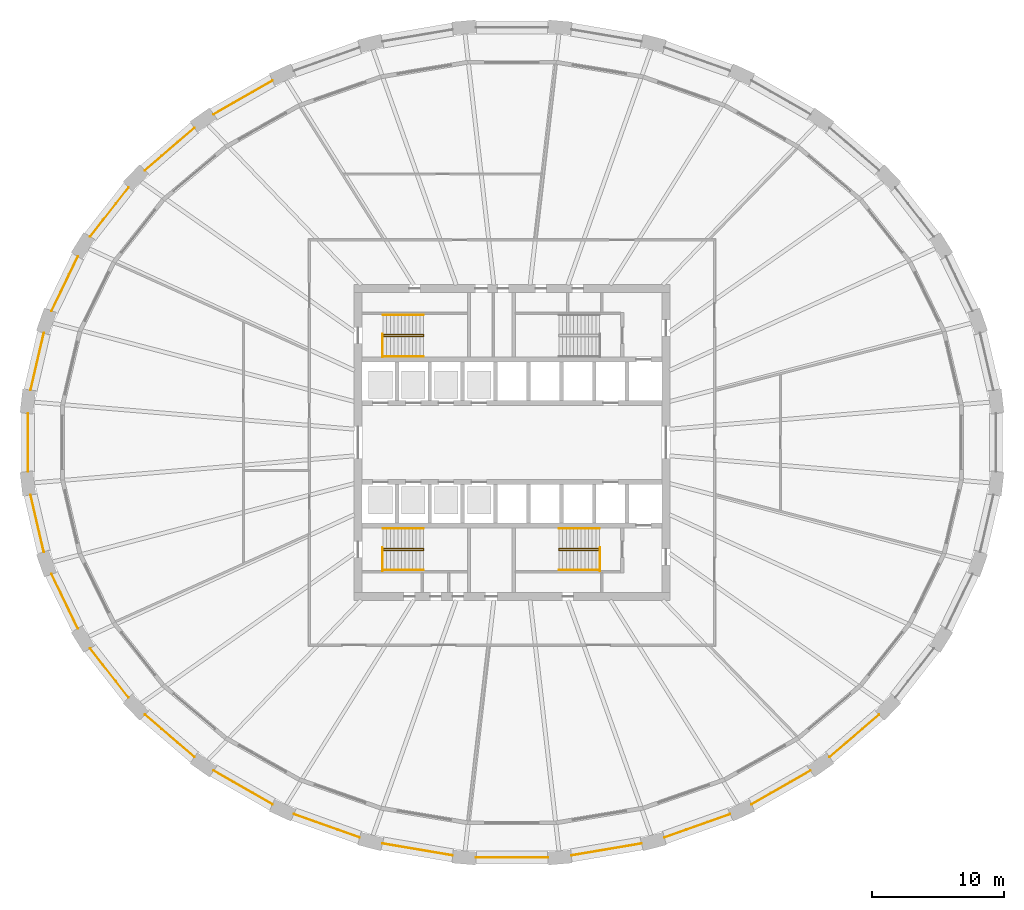
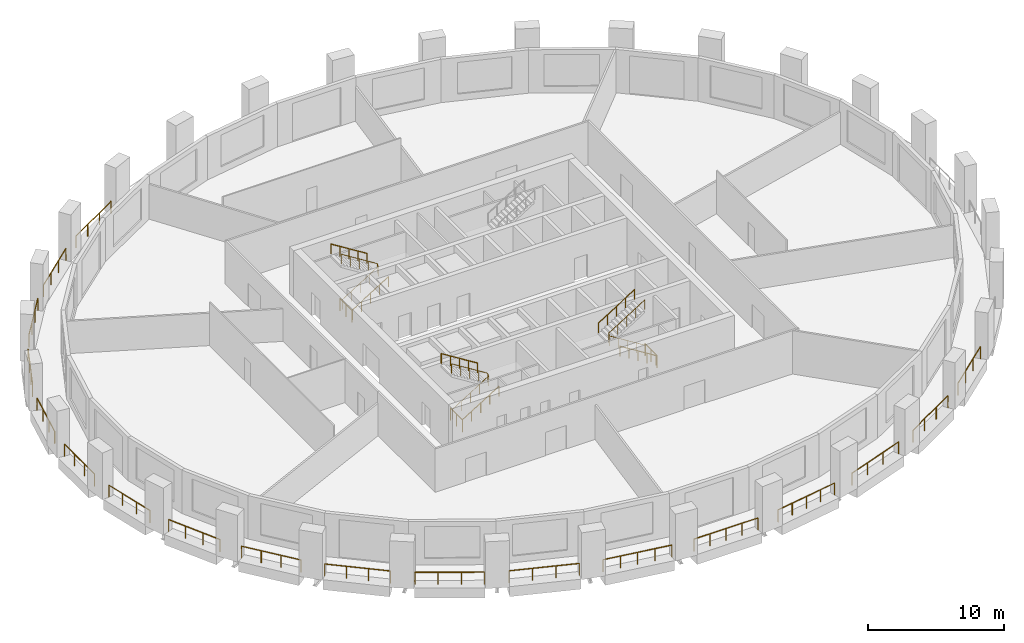
# One storey, part 8 of 10: 30 railings.
"""IFC4 building model written with IfcOpenShell, lengths in metres."""

import ifcopenshell
import ifcopenshell.guid

model = None  # the IFC model being written
_history = None  # IfcOwnerHistory: only IFC2X3 demands one
_inside = {}  # id of a spatial element -> (the spatial element, [elements in it])
_under = {}  # id of a project, library or spatial element -> (it, [spatial elements below it])
_declared = {}  # id of a project -> (the project, [libraries it declares])
_typed = {}  # id of a type object -> (the type object, [elements of that type])
_made_of = {}  # id of a material, layer set ... -> (it, [elements and type objects made of it])


def new_model(schema):
    """Start an empty IFC model of exactly this schema.

    Asked for "IFC4X3", IfcOpenShell would pick the latest addendum, in which some entities
    have other attributes; the version numbers below select the first issue.
    IFC2X3 requires an IfcOwnerHistory on every rooted entity: one is made here for all.
    """
    global model, _history
    if schema == "IFC4X3":
        model = ifcopenshell.file(schema_version=(4, 3, 0, 0))
    else:
        model = ifcopenshell.file(schema=schema)
    _inside.clear()
    _under.clear()
    _declared.clear()
    _typed.clear()
    _made_of.clear()
    _history = None
    if model.schema == "IFC2X3":
        org = make("IfcOrganization", Name="unknown")
        user = make(
            "IfcPersonAndOrganization",
            ThePerson=make("IfcPerson", FamilyName="unknown"),
            TheOrganization=org,
        )
        app = make(
            "IfcApplication",
            ApplicationDeveloper=org,
            Version="unknown",
            ApplicationFullName="unknown",
            ApplicationIdentifier="unknown",
        )
        _history = make(
            "IfcOwnerHistory",
            OwningUser=user,
            OwningApplication=app,
            ChangeAction="ADDED",
            CreationDate=0,
        )
    return model


def make(cls, **values):
    """One entity of the class cls with the attributes given. An attribute that is None is left unset."""
    return model.create_entity(
        cls, **{name: value for name, value in values.items() if value is not None}
    )


def rooted(cls, **values):
    """An entity with a GlobalId (a new one), such as an element, a storey or a relation."""
    return make(cls, GlobalId=ifcopenshell.guid.new(), OwnerHistory=_history, **values)


def si_unit(unit_type, name, prefix=None):
    """IfcSIUnit, for example si_unit("LENGTHUNIT", "METRE", prefix="MILLI")."""
    return make("IfcSIUnit", UnitType=unit_type, Prefix=prefix, Name=name)


def assignment(units):
    """IfcUnitAssignment: the units of a project."""
    return None if units is None else make("IfcUnitAssignment", Units=units)


def point(xyz):
    """IfcCartesianPoint."""
    return None if xyz is None else make("IfcCartesianPoint", Coordinates=xyz)


def direction(xyz):
    """IfcDirection."""
    return None if xyz is None else make("IfcDirection", DirectionRatios=xyz)


def frame(location, z_axis=None, x_axis=None):
    """IfcAxis2Placement3D, a coordinate frame: its origin and axes. An axis left out is left unset."""
    return make(
        "IfcAxis2Placement3D",
        Location=point(location),
        Axis=direction(z_axis),
        RefDirection=direction(x_axis),
    )


def frame_2d(location, x_axis=None):
    """IfcAxis2Placement2D, a coordinate frame in the plane: its origin and x axis."""
    return make(
        "IfcAxis2Placement2D", Location=point(location), RefDirection=direction(x_axis)
    )


def origin():
    """The frame at (0, 0, 0) with its axes left unset."""
    return frame((0.0, 0.0, 0.0))


def origin_2d():
    """The frame at (0, 0) in the plane with its x axis left unset."""
    return frame_2d((0.0, 0.0))


def place(relative_to, where):
    """IfcLocalPlacement: puts the frame where relative to a parent placement (None: the world)."""
    return make(
        "IfcLocalPlacement", PlacementRelTo=relative_to, RelativePlacement=where
    )


def context(
    kind, dimensions, precision=None, world=None, true_north=None, identifier=None
):
    """IfcGeometricRepresentationContext, for example the 3D "Model" context."""
    return make(
        "IfcGeometricRepresentationContext",
        ContextIdentifier=identifier,
        ContextType=kind,
        CoordinateSpaceDimension=dimensions,
        Precision=precision,
        WorldCoordinateSystem=world,
        TrueNorth=true_north,
    )


def subcontext(parent, identifier, kind, view, scale=None):
    """IfcGeometricRepresentationSubContext, for example "Body" below "Model"."""
    return make(
        "IfcGeometricRepresentationSubContext",
        ContextIdentifier=identifier,
        ContextType=kind,
        ParentContext=parent,
        TargetScale=scale,
        TargetView=view,
    )


def project(units=None, contexts=None):
    """IfcProject with its units and contexts."""
    return rooted(
        "IfcProject",
        Name="project",
        RepresentationContexts=contexts,
        UnitsInContext=assignment(units),
    )


def spatial(cls, under=None, at=None, **own):
    """A site, building, storey or space (cls), placed at a placement, below another one or the project."""
    s = rooted(cls, ObjectPlacement=at, **own)
    if under is not None:
        _under.setdefault(under.id(), (under, []))[1].append(s)
    return s


def profile(cls, at=None, kind="AREA", **sizes):
    """A parametric profile (cls). Its sizes go by their IFC names, for example OverallWidth=200.0."""
    return make(cls, ProfileType=kind, Position=at, **sizes)


def circle(**sizes):
    """IfcCircleProfileDef."""
    return profile("IfcCircleProfileDef", **sizes)


def extrude(swept, where, along, depth):
    """IfcExtrudedAreaSolid: the profile swept, set in the frame where, extruded along a direction by depth."""
    return make(
        "IfcExtrudedAreaSolid",
        SweptArea=swept,
        Position=where,
        ExtrudedDirection=direction(along),
        Depth=depth,
    )


def shape(context_of_items, identifier, shape_type, items):
    """IfcShapeRepresentation: the items that make up one representation, for example the "Body"."""
    return make(
        "IfcShapeRepresentation",
        ContextOfItems=context_of_items,
        RepresentationIdentifier=identifier,
        RepresentationType=shape_type,
        Items=items,
    )


def material(Name=None, Category=None):
    """IfcMaterial."""
    return make("IfcMaterial", Name=Name, Category=Category)


def made_of(thing, what):
    """Note that an element or type object is made of a material, layer set ...; save() writes the relation."""
    if what is not None:
        _made_of.setdefault(what.id(), (what, []))[1].append(thing)
    return thing


def type_object(cls, material=None, **own):
    """A type object (cls), such as IfcWallType, which elements share."""
    return made_of(rooted(cls, **own), material)


def element(
    cls,
    number,
    at=None,
    inside=None,
    cuts=None,
    type_object=None,
    material=None,
    context=None,
    identifier="Body",
    shape_type=None,
    held_by="IfcProductDefinitionShape",
    body=None,
    shapes=None,
    **own,
):
    """One element of the class cls, such as IfcWall. Its Tag is "e" and its number.

    at: its placement. inside: the storey or other place that contains it. cuts: it is an
    opening in that element (IfcRelVoidsElement). A single representation is given by context,
    identifier, shape_type and body (its items); several are given by shapes. held_by: the class
    of the entity that holds the representations. save() writes the other relations.
    """
    e = rooted(cls, Tag="e%d" % number, ObjectPlacement=at, **own)
    if body is not None:
        shapes = [shape(context, identifier, shape_type, body)]
    if shapes is not None:
        e.Representation = make(held_by, Representations=shapes)
    if inside is not None:
        _inside.setdefault(inside.id(), (inside, []))[1].append(e)
    if cuts is not None:
        rooted(
            "IfcRelVoidsElement", RelatingBuildingElement=cuts, RelatedOpeningElement=e
        )
    if type_object is not None:
        _typed.setdefault(type_object.id(), (type_object, []))[1].append(e)
    return made_of(e, material)


def aggregate(whole, parts):
    """IfcRelAggregates: a whole, such as a stair, and the parts it consists of."""
    return rooted("IfcRelAggregates", RelatingObject=whole, RelatedObjects=parts)


def save(model, path):
    """Write the relations noted so far, then the file.

    IfcRelAggregates (storeys below a building ...), IfcRelContainedInSpatialStructure (elements
    in a storey), IfcRelDefinesByType, IfcRelAssociatesMaterial and IfcRelDeclares: one each for
    every whole, place, type object, material and project.
    """
    for whole, parts in _under.values():
        aggregate(whole, parts)
    for where, things in _inside.values():
        rooted(
            "IfcRelContainedInSpatialStructure",
            RelatedElements=things,
            RelatingStructure=where,
        )
    for kind, things in _typed.values():
        rooted("IfcRelDefinesByType", RelatedObjects=things, RelatingType=kind)
    for what, things in _made_of.values():
        rooted("IfcRelAssociatesMaterial", RelatedObjects=things, RelatingMaterial=what)
    for by, libraries in _declared.values():
        rooted("IfcRelDeclares", RelatingContext=by, RelatedDefinitions=libraries)
    model.write(path)


model = new_model("IFC4")

# Units and contexts
model_context = context("Model", 3, precision=1e-05, world=origin(), true_north=direction((0.0, 1.0)))
body_context = subcontext(model_context, "Body", "Model", "MODEL_VIEW")
ifc_project = project(units=[si_unit("LENGTHUNIT", "METRE"), si_unit("AREAUNIT", "SQUARE_METRE"), si_unit("VOLUMEUNIT", "CUBIC_METRE"), si_unit("PLANEANGLEUNIT", "RADIAN"), si_unit("MASSUNIT", "GRAM", prefix="KILO")], contexts=[model_context])

# Site, building, storey
site_placement = place(None, origin())
site = spatial("IfcSite", under=ifc_project, at=site_placement, CompositionType="ELEMENT")
building_placement = place(site_placement, origin())
building = spatial("IfcBuilding", under=site, at=building_placement, Name="Halqa Exchange Tower", CompositionType="ELEMENT")
storey_placement = place(building_placement, frame((0.0, 0.0, 65.5)))
storey = spatial("IfcBuildingStorey", under=building, at=storey_placement, Name="L14", CompositionType="ELEMENT", Elevation=65.5)

# Railings
ifc_material = material(Name="Stainless steel", Category="steel")
railing_type_1 = type_object("IfcRailingType", Name="Guard 1100 stainless steel", PredefinedType="GUARDRAIL", material=ifc_material)
railing_1_placement = place(storey_placement, frame((-18.210205078125, 27.502197265625, 0.0)))
element("IfcRailing", 1, at=railing_1_placement, inside=storey, type_object=railing_type_1, Name="Loggia guard 11", PredefinedType="GUARDRAIL", context=body_context, shape_type="SweptSolid", body=[
    extrude(circle(Radius=0.02392578125, at=origin_2d()), frame((0.0, 0.0, 1.076171875), z_axis=(-0.867766755892, -0.496971686688, 0.0), x_axis=(0.496971686688, -0.867766755892, 0.0)), (0.0, 0.0, 1.0), 5.14501953125),
    extrude(circle(Radius=0.02099609375, at=origin_2d()), origin(), (0.0, 0.0, 1.0), 1.052001953125),
    extrude(circle(Radius=0.02099609375, at=origin_2d()), frame((-1.48828125, -0.852294921875, 0.0)), (0.0, 0.0, 1.0), 1.052001953125),
    extrude(circle(Radius=0.02099609375, at=origin_2d()), frame((-2.976318359375, -1.70458984375, 0.0)), (0.0, 0.0, 1.0), 1.052001953125),
    extrude(circle(Radius=0.02099609375, at=origin_2d()), frame((-4.464599609375, -2.556884765625, 0.0)), (0.0, 0.0, 1.0), 1.052001953125),
])
railing_2_placement = place(storey_placement, frame((-24.13916015625, 23.912353515625, 0.0)))
element("IfcRailing", 2, at=railing_2_placement, inside=storey, type_object=railing_type_1, Name="Loggia guard 12", PredefinedType="GUARDRAIL", context=body_context, shape_type="SweptSolid", body=[
    extrude(circle(Radius=0.02392578125, at=origin_2d()), frame((0.0, 0.0, 1.076171875), z_axis=(-0.75924963979, -0.650799496373, 0.0), x_axis=(0.650799496373, -0.75924963979, 0.0)), (0.0, 0.0, 1.0), 4.950439453125),
    extrude(circle(Radius=0.02099609375, at=origin_2d()), origin(), (0.0, 0.0, 1.0), 1.052001953125),
    extrude(circle(Radius=0.02099609375, at=origin_2d()), frame((-1.2529296875, -1.073974609375, 0.0)), (0.0, 0.0, 1.0), 1.052001953125),
    extrude(circle(Radius=0.02099609375, at=origin_2d()), frame((-2.505615234375, -2.147705078125, 0.0)), (0.0, 0.0, 1.0), 1.052001953125),
    extrude(circle(Radius=0.02099609375, at=origin_2d()), frame((-3.758544921875, -3.2216796875, 0.0)), (0.0, 0.0, 1.0), 1.052001953125),
])
railing_3_placement = place(storey_placement, frame((-29.134521484375, 19.395263671875, 0.0)))
element("IfcRailing", 3, at=railing_3_placement, inside=storey, type_object=railing_type_1, Name="Loggia guard 13", PredefinedType="GUARDRAIL", context=body_context, shape_type="SweptSolid", body=[
    extrude(circle(Radius=0.02392578125, at=origin_2d()), frame((0.0, 0.0, 1.076171875), z_axis=(-0.614797843814, -0.788684735012, 0.0), x_axis=(0.788684735012, -0.614797843814, 0.0)), (0.0, 0.0, 1.0), 4.749755859375),
    extrude(circle(Radius=0.02099609375, at=origin_2d()), origin(), (0.0, 0.0, 1.0), 1.052001953125),
    extrude(circle(Radius=0.02099609375, at=origin_2d()), frame((-0.973388671875, -1.248779296875, 0.0)), (0.0, 0.0, 1.0), 1.052001953125),
    extrude(circle(Radius=0.02099609375, at=origin_2d()), frame((-1.94677734375, -2.497314453125, 0.0)), (0.0, 0.0, 1.0), 1.052001953125),
    extrude(circle(Radius=0.02099609375, at=origin_2d()), frame((-2.920166015625, -3.74609375, 0.0)), (0.0, 0.0, 1.0), 1.052001953125),
])
railing_4_placement = place(storey_placement, frame((-32.99951171875, 14.129150390625, 0.0)))
element("IfcRailing", 4, at=railing_4_placement, inside=storey, type_object=railing_type_1, Name="Loggia guard 14", PredefinedType="GUARDRAIL", context=body_context, shape_type="SweptSolid", body=[
    extrude(circle(Radius=0.02392578125, at=origin_2d()), frame((0.0, 0.0, 1.076171875), z_axis=(-0.435090791332, -0.900386585472, 0.0), x_axis=(0.900386585472, -0.435090791332, 0.0)), (0.0, 0.0, 1.0), 4.574951171875),
    extrude(circle(Radius=0.02099609375, at=origin_2d()), origin(), (0.0, 0.0, 1.0), 1.052001953125),
    extrude(circle(Radius=0.02099609375, at=origin_2d()), frame((-0.66357421875, -1.373046875, 0.0)), (0.0, 0.0, 1.0), 1.052001953125),
    extrude(circle(Radius=0.02099609375, at=origin_2d()), frame((-1.326904296875, -2.74609375, 0.0)), (0.0, 0.0, 1.0), 1.052001953125),
    extrude(circle(Radius=0.02099609375, at=origin_2d()), frame((-1.990478515625, -4.119140625, 0.0)), (0.0, 0.0, 1.0), 1.052001953125),
])
railing_5_placement = place(storey_placement, frame((-35.585205078125, 8.322998046875, 0.0)))
element("IfcRailing", 5, at=railing_5_placement, inside=storey, type_object=railing_type_1, Name="Loggia guard 15", PredefinedType="GUARDRAIL", context=body_context, shape_type="SweptSolid", body=[
    extrude(circle(Radius=0.02392578125, at=origin_2d()), frame((0.0, 0.0, 1.076171875), z_axis=(-0.226035930203, -0.974118965146, 0.0), x_axis=(0.974118965146, -0.226035930203, 0.0)), (0.0, 0.0, 1.0), 4.455322265625),
    extrude(circle(Radius=0.02099609375, at=origin_2d()), origin(), (0.0, 0.0, 1.0), 1.052001953125),
    extrude(circle(Radius=0.02099609375, at=origin_2d()), frame((-0.335693359375, -1.44677734375, 0.0)), (0.0, 0.0, 1.0), 1.052001953125),
    extrude(circle(Radius=0.02099609375, at=origin_2d()), frame((-0.67138671875, -2.893310546875, 0.0)), (0.0, 0.0, 1.0), 1.052001953125),
    extrude(circle(Radius=0.02099609375, at=origin_2d()), frame((-1.007080078125, -4.340087890625, 0.0)), (0.0, 0.0, 1.0), 1.052001953125),
])
railing_6_placement = place(storey_placement, frame((-36.795654296875, 2.206298828125, 0.0)))
element("IfcRailing", 6, at=railing_6_placement, inside=storey, type_object=railing_type_1, Name="Loggia guard 16", PredefinedType="GUARDRAIL", context=body_context, shape_type="SweptSolid", body=[
    extrude(circle(Radius=0.02392578125, at=origin_2d()), frame((0.0, 0.0, 1.076171875), z_axis=(0.0, -1.0, 0.0), x_axis=(1.0, 0.0, 0.0)), (0.0, 0.0, 1.0), 4.41259765625),
    extrude(circle(Radius=0.02099609375, at=origin_2d()), origin(), (0.0, 0.0, 1.0), 1.052001953125),
    extrude(circle(Radius=0.02099609375, at=origin_2d()), frame((0.0, -1.470947265625, 0.0)), (0.0, 0.0, 1.0), 1.052001953125),
    extrude(circle(Radius=0.02099609375, at=origin_2d()), frame((0.0, -2.941650390625, 0.0)), (0.0, 0.0, 1.0), 1.052001953125),
    extrude(circle(Radius=0.02099609375, at=origin_2d()), frame((0.0, -4.41259765625, 0.0)), (0.0, 0.0, 1.0), 1.052001953125),
])
railing_7_placement = place(storey_placement, frame((-36.59228515625, -3.98291015625, 0.0)))
element("IfcRailing", 7, at=railing_7_placement, inside=storey, type_object=railing_type_1, Name="Loggia guard 17", PredefinedType="GUARDRAIL", context=body_context, shape_type="SweptSolid", body=[
    extrude(circle(Radius=0.02392578125, at=origin_2d()), frame((0.0, 0.0, 1.076171875), z_axis=(0.226035930203, -0.974118965146, 0.0), x_axis=(0.974118965146, 0.226035930203, 0.0)), (0.0, 0.0, 1.0), 4.455322265625),
    extrude(circle(Radius=0.02099609375, at=origin_2d()), origin(), (0.0, 0.0, 1.0), 1.052001953125),
    extrude(circle(Radius=0.02099609375, at=origin_2d()), frame((0.335693359375, -1.44677734375, 0.0)), (0.0, 0.0, 1.0), 1.052001953125),
    extrude(circle(Radius=0.02099609375, at=origin_2d()), frame((0.67138671875, -2.893310546875, 0.0)), (0.0, 0.0, 1.0), 1.052001953125),
    extrude(circle(Radius=0.02099609375, at=origin_2d()), frame((1.007080078125, -4.340087890625, 0.0)), (0.0, 0.0, 1.0), 1.052001953125),
])
railing_8_placement = place(storey_placement, frame((-34.989990234375, -10.010009765625, 0.0)))
element("IfcRailing", 8, at=railing_8_placement, inside=storey, type_object=railing_type_1, Name="Loggia guard 18", PredefinedType="GUARDRAIL", context=body_context, shape_type="SweptSolid", body=[
    extrude(circle(Radius=0.02392578125, at=origin_2d()), frame((0.0, 0.0, 1.076171875), z_axis=(0.435090791332, -0.900386585472, 0.0), x_axis=(0.900386585472, 0.435090791332, 0.0)), (0.0, 0.0, 1.0), 4.574951171875),
    extrude(circle(Radius=0.02099609375, at=origin_2d()), origin(), (0.0, 0.0, 1.0), 1.052001953125),
    extrude(circle(Radius=0.02099609375, at=origin_2d()), frame((0.66357421875, -1.373046875, 0.0)), (0.0, 0.0, 1.0), 1.052001953125),
    extrude(circle(Radius=0.02099609375, at=origin_2d()), frame((1.326904296875, -2.74609375, 0.0)), (0.0, 0.0, 1.0), 1.052001953125),
    extrude(circle(Radius=0.02099609375, at=origin_2d()), frame((1.990478515625, -4.119140625, 0.0)), (0.0, 0.0, 1.0), 1.052001953125),
])
railing_9_placement = place(storey_placement, frame((-32.0546875, -15.649169921875, 0.0)))
element("IfcRailing", 9, at=railing_9_placement, inside=storey, type_object=railing_type_1, Name="Loggia guard 19", PredefinedType="GUARDRAIL", context=body_context, shape_type="SweptSolid", body=[
    extrude(circle(Radius=0.02392578125, at=origin_2d()), frame((0.0, 0.0, 1.076171875), z_axis=(0.614797843814, -0.788684735012, 0.0), x_axis=(0.788684735012, 0.614797843814, 0.0)), (0.0, 0.0, 1.0), 4.749755859375),
    extrude(circle(Radius=0.02099609375, at=origin_2d()), origin(), (0.0, 0.0, 1.0), 1.052001953125),
    extrude(circle(Radius=0.02099609375, at=origin_2d()), frame((0.973388671875, -1.248779296875, 0.0)), (0.0, 0.0, 1.0), 1.052001953125),
    extrude(circle(Radius=0.02099609375, at=origin_2d()), frame((1.94677734375, -2.497314453125, 0.0)), (0.0, 0.0, 1.0), 1.052001953125),
    extrude(circle(Radius=0.02099609375, at=origin_2d()), frame((2.920166015625, -3.74609375, 0.0)), (0.0, 0.0, 1.0), 1.052001953125),
])
railing_10_placement = place(storey_placement, frame((-27.897705078125, -20.690673828125, 0.0)))
element("IfcRailing", 10, at=railing_10_placement, inside=storey, type_object=railing_type_1, Name="Loggia guard 20", PredefinedType="GUARDRAIL", context=body_context, shape_type="SweptSolid", body=[
    extrude(circle(Radius=0.02392578125, at=origin_2d()), frame((0.0, 0.0, 1.076171875), z_axis=(0.75924963979, -0.650799496373, 0.0), x_axis=(0.650799496373, 0.75924963979, 0.0)), (0.0, 0.0, 1.0), 4.950439453125),
    extrude(circle(Radius=0.02099609375, at=origin_2d()), origin(), (0.0, 0.0, 1.0), 1.052001953125),
    extrude(circle(Radius=0.02099609375, at=origin_2d()), frame((1.2529296875, -1.073974609375, 0.0)), (0.0, 0.0, 1.0), 1.052001953125),
    extrude(circle(Radius=0.02099609375, at=origin_2d()), frame((2.505615234375, -2.147705078125, 0.0)), (0.0, 0.0, 1.0), 1.052001953125),
    extrude(circle(Radius=0.02099609375, at=origin_2d()), frame((3.758544921875, -3.2216796875, 0.0)), (0.0, 0.0, 1.0), 1.052001953125),
])
railing_11_placement = place(storey_placement, frame((-22.6748046875, -24.9453125, 0.0)))
element("IfcRailing", 11, at=railing_11_placement, inside=storey, type_object=railing_type_1, Name="Loggia guard 21", PredefinedType="GUARDRAIL", context=body_context, shape_type="SweptSolid", body=[
    extrude(circle(Radius=0.02392578125, at=origin_2d()), frame((0.0, 0.0, 1.076171875), z_axis=(0.867766755892, -0.496971686688, 0.0), x_axis=(0.496971686688, 0.867766755892, 0.0)), (0.0, 0.0, 1.0), 5.14501953125),
    extrude(circle(Radius=0.02099609375, at=origin_2d()), origin(), (0.0, 0.0, 1.0), 1.052001953125),
    extrude(circle(Radius=0.02099609375, at=origin_2d()), frame((1.48828125, -0.852294921875, 0.0)), (0.0, 0.0, 1.0), 1.052001953125),
    extrude(circle(Radius=0.02099609375, at=origin_2d()), frame((2.976318359375, -1.70458984375, 0.0)), (0.0, 0.0, 1.0), 1.052001953125),
    extrude(circle(Radius=0.02099609375, at=origin_2d()), frame((4.464599609375, -2.556884765625, 0.0)), (0.0, 0.0, 1.0), 1.052001953125),
])
railing_12_placement = place(storey_placement, frame((-16.581298828125, -28.250732421875, 0.0)))
element("IfcRailing", 12, at=railing_12_placement, inside=storey, type_object=railing_type_1, Name="Loggia guard 22", PredefinedType="GUARDRAIL", context=body_context, shape_type="SweptSolid", body=[
    extrude(circle(Radius=0.02392578125, at=origin_2d()), frame((0.0, 0.0, 1.076171875), z_axis=(0.942376278885, -0.334554851998, 0.0), x_axis=(0.334554851998, 0.942376278885, 0.0)), (0.0, 0.0, 1.0), 5.305908203125),
    extrude(circle(Radius=0.02099609375, at=origin_2d()), origin(), (0.0, 0.0, 1.0), 1.052001953125),
    extrude(circle(Radius=0.02099609375, at=origin_2d()), frame((1.666748046875, -0.591796875, 0.0)), (0.0, 0.0, 1.0), 1.052001953125),
    extrude(circle(Radius=0.02099609375, at=origin_2d()), frame((3.33349609375, -1.183349609375, 0.0)), (0.0, 0.0, 1.0), 1.052001953125),
    extrude(circle(Radius=0.02099609375, at=origin_2d()), frame((5.000244140625, -1.775146484375, 0.0)), (0.0, 0.0, 1.0), 1.052001953125),
])
railing_13_placement = place(storey_placement, frame((-9.845703125, -30.478515625, 0.0)))
element("IfcRailing", 13, at=railing_13_placement, inside=storey, type_object=railing_type_1, Name="Loggia guard 23", PredefinedType="GUARDRAIL", context=body_context, shape_type="SweptSolid", body=[
    extrude(circle(Radius=0.02392578125, at=origin_2d()), frame((0.0, 0.0, 1.076171875), z_axis=(0.985784942873, -0.168012042438, 0.0), x_axis=(0.168012042438, 0.985784942873, 0.0)), (0.0, 0.0, 1.0), 5.411376953125),
    extrude(circle(Radius=0.02099609375, at=origin_2d()), origin(), (0.0, 0.0, 1.0), 1.052001953125),
    extrude(circle(Radius=0.02099609375, at=origin_2d()), frame((1.33349609375, -0.227294921875, 0.0)), (0.0, 0.0, 1.0), 1.052001953125),
    extrude(circle(Radius=0.02099609375, at=origin_2d()), frame((2.667236328125, -0.45458984375, 0.0)), (0.0, 0.0, 1.0), 1.052001953125),
    extrude(circle(Radius=0.02099609375, at=origin_2d()), frame((4.0009765625, -0.681884765625, 0.0)), (0.0, 0.0, 1.0), 1.052001953125),
    extrude(circle(Radius=0.02099609375, at=origin_2d()), frame((5.33447265625, -0.9091796875, 0.0)), (0.0, 0.0, 1.0), 1.052001953125),
])
railing_14_placement = place(storey_placement, frame((-2.72412109375, -31.5390625, 0.0)))
element("IfcRailing", 14, at=railing_14_placement, inside=storey, type_object=railing_type_1, Name="Loggia guard 24", PredefinedType="GUARDRAIL", context=body_context, shape_type="SweptSolid", body=[
    extrude(circle(Radius=0.02392578125, at=origin_2d()), frame((0.0, 0.0, 1.076171875), z_axis=(1.0, 0.0, 0.0), x_axis=(0.0, 1.0, 0.0)), (0.0, 0.0, 1.0), 5.4482421875),
    extrude(circle(Radius=0.02099609375, at=origin_2d()), origin(), (0.0, 0.0, 1.0), 1.052001953125),
    extrude(circle(Radius=0.02099609375, at=origin_2d()), frame((1.362060546875, 0.0, 0.0)), (0.0, 0.0, 1.0), 1.052001953125),
    extrude(circle(Radius=0.02099609375, at=origin_2d()), frame((2.72412109375, 0.0, 0.0)), (0.0, 0.0, 1.0), 1.052001953125),
    extrude(circle(Radius=0.02099609375, at=origin_2d()), frame((4.086181640625, 0.0, 0.0)), (0.0, 0.0, 1.0), 1.052001953125),
    extrude(circle(Radius=0.02099609375, at=origin_2d()), frame((5.4482421875, 0.0, 0.0)), (0.0, 0.0, 1.0), 1.052001953125),
])
railing_15_placement = place(storey_placement, frame((4.51123046875, -31.3876953125, 0.0)))
element("IfcRailing", 15, at=railing_15_placement, inside=storey, type_object=railing_type_1, Name="Loggia guard 25", PredefinedType="GUARDRAIL", context=body_context, shape_type="SweptSolid", body=[
    extrude(circle(Radius=0.02392578125, at=origin_2d()), frame((0.0, 0.0, 1.076171875), z_axis=(0.985784942873, 0.168012042438, 0.0), x_axis=(-0.168012042438, 0.985784942873, 0.0)), (0.0, 0.0, 1.0), 5.411376953125),
    extrude(circle(Radius=0.02099609375, at=origin_2d()), origin(), (0.0, 0.0, 1.0), 1.052001953125),
    extrude(circle(Radius=0.02099609375, at=origin_2d()), frame((1.33349609375, 0.227294921875, 0.0)), (0.0, 0.0, 1.0), 1.052001953125),
    extrude(circle(Radius=0.02099609375, at=origin_2d()), frame((2.667236328125, 0.45458984375, 0.0)), (0.0, 0.0, 1.0), 1.052001953125),
    extrude(circle(Radius=0.02099609375, at=origin_2d()), frame((4.0009765625, 0.681884765625, 0.0)), (0.0, 0.0, 1.0), 1.052001953125),
    extrude(circle(Radius=0.02099609375, at=origin_2d()), frame((5.33447265625, 0.9091796875, 0.0)), (0.0, 0.0, 1.0), 1.052001953125),
])
railing_16_placement = place(storey_placement, frame((11.5810546875, -30.02587890625, 0.0)))
element("IfcRailing", 16, at=railing_16_placement, inside=storey, type_object=railing_type_1, Name="Loggia guard 26", PredefinedType="GUARDRAIL", context=body_context, shape_type="SweptSolid", body=[
    extrude(circle(Radius=0.02392578125, at=origin_2d()), frame((0.0, 0.0, 1.076171875), z_axis=(0.942376278885, 0.334554851998, 0.0), x_axis=(-0.334554851998, 0.942376278885, 0.0)), (0.0, 0.0, 1.0), 5.305908203125),
    extrude(circle(Radius=0.02099609375, at=origin_2d()), origin(), (0.0, 0.0, 1.0), 1.052001953125),
    extrude(circle(Radius=0.02099609375, at=origin_2d()), frame((1.666748046875, 0.591796875, 0.0)), (0.0, 0.0, 1.0), 1.052001953125),
    extrude(circle(Radius=0.02099609375, at=origin_2d()), frame((3.33349609375, 1.183349609375, 0.0)), (0.0, 0.0, 1.0), 1.052001953125),
    extrude(circle(Radius=0.02099609375, at=origin_2d()), frame((5.000244140625, 1.775146484375, 0.0)), (0.0, 0.0, 1.0), 1.052001953125),
])
railing_17_placement = place(storey_placement, frame((18.210205078125, -27.502197265625, 0.0)))
element("IfcRailing", 17, at=railing_17_placement, inside=storey, type_object=railing_type_1, Name="Loggia guard 27", PredefinedType="GUARDRAIL", context=body_context, shape_type="SweptSolid", body=[
    extrude(circle(Radius=0.02392578125, at=origin_2d()), frame((0.0, 0.0, 1.076171875), z_axis=(0.867766755892, 0.496971686688, 0.0), x_axis=(-0.496971686688, 0.867766755892, 0.0)), (0.0, 0.0, 1.0), 5.14501953125),
    extrude(circle(Radius=0.02099609375, at=origin_2d()), origin(), (0.0, 0.0, 1.0), 1.052001953125),
    extrude(circle(Radius=0.02099609375, at=origin_2d()), frame((1.48828125, 0.852294921875, 0.0)), (0.0, 0.0, 1.0), 1.052001953125),
    extrude(circle(Radius=0.02099609375, at=origin_2d()), frame((2.976318359375, 1.70458984375, 0.0)), (0.0, 0.0, 1.0), 1.052001953125),
    extrude(circle(Radius=0.02099609375, at=origin_2d()), frame((4.464599609375, 2.556884765625, 0.0)), (0.0, 0.0, 1.0), 1.052001953125),
])
railing_18_placement = place(storey_placement, frame((24.13916015625, -23.912353515625, 0.0)))
element("IfcRailing", 18, at=railing_18_placement, inside=storey, type_object=railing_type_1, Name="Loggia guard 28", PredefinedType="GUARDRAIL", context=body_context, shape_type="SweptSolid", body=[
    extrude(circle(Radius=0.02392578125, at=origin_2d()), frame((0.0, 0.0, 1.076171875), z_axis=(0.75924963979, 0.650799496373, 0.0), x_axis=(-0.650799496373, 0.75924963979, 0.0)), (0.0, 0.0, 1.0), 4.950439453125),
    extrude(circle(Radius=0.02099609375, at=origin_2d()), origin(), (0.0, 0.0, 1.0), 1.052001953125),
    extrude(circle(Radius=0.02099609375, at=origin_2d()), frame((1.2529296875, 1.073974609375, 0.0)), (0.0, 0.0, 1.0), 1.052001953125),
    extrude(circle(Radius=0.02099609375, at=origin_2d()), frame((2.505615234375, 2.147705078125, 0.0)), (0.0, 0.0, 1.0), 1.052001953125),
    extrude(circle(Radius=0.02099609375, at=origin_2d()), frame((3.758544921875, 3.2216796875, 0.0)), (0.0, 0.0, 1.0), 1.052001953125),
])
railing_type_2 = type_object("IfcRailingType", Name="Stair handrail 900", PredefinedType="HANDRAIL", material=ifc_material)
railing_19_placement = place(storey_placement, frame((-9.800048828125, 8.06005859375, 0.175048828125)))
element("IfcRailing", 19, at=railing_19_placement, inside=storey, type_object=railing_type_2, Name="Handrail ST1.1", PredefinedType="HANDRAIL", context=body_context, shape_type="SweptSolid", body=[
    extrude(circle(Radius=0.02392578125, at=origin_2d()), frame((0.0, 0.0, 0.8759765625), z_axis=(0.847998304005, 0.0, 0.529998940003), x_axis=(0.0, 1.0, 0.0)), (0.0, 0.0, 1.0), 3.632080078125),
    extrude(circle(Radius=0.02392578125, at=origin_2d()), frame((3.080078125, 0.0, 2.80078125), z_axis=(0.0, 0.596406559517, 0.802682512433), x_axis=(-1.0, 0.0, 0.0)), (0.0, 0.0, 1.0), 0.2177734375),
    extrude(circle(Radius=0.02392578125, at=origin_2d()), frame((3.080078125, 0.1298828125, 2.9755859375), z_axis=(-0.847998304005, 0.0, 0.529998940003), x_axis=(0.0, -1.0, 0.0)), (0.0, 0.0, 1.0), 3.632080078125),
    extrude(circle(Radius=0.02099609375, at=origin_2d()), origin(), (0.0, 0.0, 1.0), 0.851806640625),
    extrude(circle(Radius=0.02099609375, at=origin_2d()), frame((0.77001953125, 0.0, 0.481201171875)), (0.0, 0.0, 1.0), 0.851806640625),
    extrude(circle(Radius=0.02099609375, at=origin_2d()), frame((1.5400390625, 0.0, 0.96240234375)), (0.0, 0.0, 1.0), 0.851806640625),
    extrude(circle(Radius=0.02099609375, at=origin_2d()), frame((2.31005859375, 0.0, 1.44384765625)), (0.0, 0.0, 1.0), 0.851806640625),
    extrude(circle(Radius=0.02099609375, at=origin_2d()), frame((3.080078125, 0.0, 1.925048828125)), (0.0, 0.0, 1.0), 0.851806640625),
    extrude(circle(Radius=0.02099609375, at=origin_2d()), frame((3.080078125, 0.1298828125, 2.099853515625)), (0.0, 0.0, 1.0), 0.851806640625),
    extrude(circle(Radius=0.02099609375, at=origin_2d()), frame((2.31005859375, 0.1298828125, 2.5810546875)), (0.0, 0.0, 1.0), 0.851806640625),
    extrude(circle(Radius=0.02099609375, at=origin_2d()), frame((1.5400390625, 0.1298828125, 3.0625)), (0.0, 0.0, 1.0), 0.851806640625),
    extrude(circle(Radius=0.02099609375, at=origin_2d()), frame((0.77001953125, 0.1298828125, 3.543701171875)), (0.0, 0.0, 1.0), 0.851806640625),
    extrude(circle(Radius=0.02099609375, at=origin_2d()), frame((0.0, 0.1298828125, 4.02490234375)), (0.0, 0.0, 1.0), 0.851806640625),
])
railing_20_placement = place(storey_placement, frame((-9.800048828125, 6.550048828125, 0.175048828125)))
element("IfcRailing", 20, at=railing_20_placement, inside=storey, type_object=railing_type_2, Name="Handrail ST1.2", PredefinedType="HANDRAIL", context=body_context, shape_type="SweptSolid", body=[
    extrude(circle(Radius=0.02392578125, at=origin_2d()), frame((0.0, 0.0, 0.8759765625), z_axis=(0.847998304005, 0.0, 0.529998940003), x_axis=(0.0, 1.0, 0.0)), (0.0, 0.0, 1.0), 3.632080078125),
    extrude(circle(Radius=0.02099609375, at=origin_2d()), origin(), (0.0, 0.0, 1.0), 0.851806640625),
    extrude(circle(Radius=0.02099609375, at=origin_2d()), frame((0.77001953125, 0.0, 0.481201171875)), (0.0, 0.0, 1.0), 0.851806640625),
    extrude(circle(Radius=0.02099609375, at=origin_2d()), frame((1.5400390625, 0.0, 0.96240234375)), (0.0, 0.0, 1.0), 0.851806640625),
    extrude(circle(Radius=0.02099609375, at=origin_2d()), frame((2.31005859375, 0.0, 1.44384765625)), (0.0, 0.0, 1.0), 0.851806640625),
    extrude(circle(Radius=0.02099609375, at=origin_2d()), frame((3.080078125, 0.0, 1.925048828125)), (0.0, 0.0, 1.0), 0.851806640625),
])
railing_21_placement = place(storey_placement, frame((-6.719970703125, 9.699951171875, 2.27490234375)))
element("IfcRailing", 21, at=railing_21_placement, inside=storey, type_object=railing_type_2, Name="Handrail ST1.3", PredefinedType="HANDRAIL", context=body_context, shape_type="SweptSolid", body=[
    extrude(circle(Radius=0.02392578125, at=origin_2d()), frame((0.0, 0.0, 0.8759765625), z_axis=(-0.847998304005, 0.0, 0.529998940003), x_axis=(0.0, -1.0, 0.0)), (0.0, 0.0, 1.0), 3.632080078125),
    extrude(circle(Radius=0.02099609375, at=origin_2d()), origin(), (0.0, 0.0, 1.0), 0.851806640625),
    extrude(circle(Radius=0.02099609375, at=origin_2d()), frame((-0.77001953125, 0.0, 0.481201171875)), (0.0, 0.0, 1.0), 0.851806640625),
    extrude(circle(Radius=0.02099609375, at=origin_2d()), frame((-1.5400390625, 0.0, 0.96240234375)), (0.0, 0.0, 1.0), 0.851806640625),
    extrude(circle(Radius=0.02099609375, at=origin_2d()), frame((-2.31005859375, 0.0, 1.44384765625)), (0.0, 0.0, 1.0), 0.851806640625),
    extrude(circle(Radius=0.02099609375, at=origin_2d()), frame((-3.080078125, 0.0, 1.925048828125)), (0.0, 0.0, 1.0), 0.851806640625),
])
railing_22_placement = place(storey_placement, frame((-9.800048828125, -8.18994140625, 0.175048828125)))
element("IfcRailing", 22, at=railing_22_placement, inside=storey, type_object=railing_type_2, Name="Handrail ST3.1", PredefinedType="HANDRAIL", context=body_context, shape_type="SweptSolid", body=[
    extrude(circle(Radius=0.02392578125, at=origin_2d()), frame((0.0, 0.0, 0.8759765625), z_axis=(0.847998304005, 0.0, 0.529998940003), x_axis=(0.0, 1.0, 0.0)), (0.0, 0.0, 1.0), 3.632080078125),
    extrude(circle(Radius=0.02392578125, at=origin_2d()), frame((3.080078125, 0.0, 2.80078125), z_axis=(0.0, 0.596406559517, 0.802682512433), x_axis=(-1.0, 0.0, 0.0)), (0.0, 0.0, 1.0), 0.2177734375),
    extrude(circle(Radius=0.02392578125, at=origin_2d()), frame((3.080078125, 0.1298828125, 2.9755859375), z_axis=(-0.847998304005, 0.0, 0.529998940003), x_axis=(0.0, -1.0, 0.0)), (0.0, 0.0, 1.0), 3.632080078125),
    extrude(circle(Radius=0.02099609375, at=origin_2d()), origin(), (0.0, 0.0, 1.0), 0.851806640625),
    extrude(circle(Radius=0.02099609375, at=origin_2d()), frame((0.77001953125, 0.0, 0.481201171875)), (0.0, 0.0, 1.0), 0.851806640625),
    extrude(circle(Radius=0.02099609375, at=origin_2d()), frame((1.5400390625, 0.0, 0.96240234375)), (0.0, 0.0, 1.0), 0.851806640625),
    extrude(circle(Radius=0.02099609375, at=origin_2d()), frame((2.31005859375, 0.0, 1.44384765625)), (0.0, 0.0, 1.0), 0.851806640625),
    extrude(circle(Radius=0.02099609375, at=origin_2d()), frame((3.080078125, 0.0, 1.925048828125)), (0.0, 0.0, 1.0), 0.851806640625),
    extrude(circle(Radius=0.02099609375, at=origin_2d()), frame((3.080078125, 0.1298828125, 2.099853515625)), (0.0, 0.0, 1.0), 0.851806640625),
    extrude(circle(Radius=0.02099609375, at=origin_2d()), frame((2.31005859375, 0.1298828125, 2.5810546875)), (0.0, 0.0, 1.0), 0.851806640625),
    extrude(circle(Radius=0.02099609375, at=origin_2d()), frame((1.5400390625, 0.1298828125, 3.0625)), (0.0, 0.0, 1.0), 0.851806640625),
    extrude(circle(Radius=0.02099609375, at=origin_2d()), frame((0.77001953125, 0.1298828125, 3.543701171875)), (0.0, 0.0, 1.0), 0.851806640625),
    extrude(circle(Radius=0.02099609375, at=origin_2d()), frame((0.0, 0.1298828125, 4.02490234375)), (0.0, 0.0, 1.0), 0.851806640625),
])
railing_23_placement = place(storey_placement, frame((-9.800048828125, -9.699951171875, 0.175048828125)))
element("IfcRailing", 23, at=railing_23_placement, inside=storey, type_object=railing_type_2, Name="Handrail ST3.2", PredefinedType="HANDRAIL", context=body_context, shape_type="SweptSolid", body=[
    extrude(circle(Radius=0.02392578125, at=origin_2d()), frame((0.0, 0.0, 0.8759765625), z_axis=(0.847998304005, 0.0, 0.529998940003), x_axis=(0.0, 1.0, 0.0)), (0.0, 0.0, 1.0), 3.632080078125),
    extrude(circle(Radius=0.02099609375, at=origin_2d()), origin(), (0.0, 0.0, 1.0), 0.851806640625),
    extrude(circle(Radius=0.02099609375, at=origin_2d()), frame((0.77001953125, 0.0, 0.481201171875)), (0.0, 0.0, 1.0), 0.851806640625),
    extrude(circle(Radius=0.02099609375, at=origin_2d()), frame((1.5400390625, 0.0, 0.96240234375)), (0.0, 0.0, 1.0), 0.851806640625),
    extrude(circle(Radius=0.02099609375, at=origin_2d()), frame((2.31005859375, 0.0, 1.44384765625)), (0.0, 0.0, 1.0), 0.851806640625),
    extrude(circle(Radius=0.02099609375, at=origin_2d()), frame((3.080078125, 0.0, 1.925048828125)), (0.0, 0.0, 1.0), 0.851806640625),
])
railing_24_placement = place(storey_placement, frame((-6.719970703125, -6.550048828125, 2.27490234375)))
element("IfcRailing", 24, at=railing_24_placement, inside=storey, type_object=railing_type_2, Name="Handrail ST3.3", PredefinedType="HANDRAIL", context=body_context, shape_type="SweptSolid", body=[
    extrude(circle(Radius=0.02392578125, at=origin_2d()), frame((0.0, 0.0, 0.8759765625), z_axis=(-0.847998304005, 0.0, 0.529998940003), x_axis=(0.0, -1.0, 0.0)), (0.0, 0.0, 1.0), 3.632080078125),
    extrude(circle(Radius=0.02099609375, at=origin_2d()), origin(), (0.0, 0.0, 1.0), 0.851806640625),
    extrude(circle(Radius=0.02099609375, at=origin_2d()), frame((-0.77001953125, 0.0, 0.481201171875)), (0.0, 0.0, 1.0), 0.851806640625),
    extrude(circle(Radius=0.02099609375, at=origin_2d()), frame((-1.5400390625, 0.0, 0.96240234375)), (0.0, 0.0, 1.0), 0.851806640625),
    extrude(circle(Radius=0.02099609375, at=origin_2d()), frame((-2.31005859375, 0.0, 1.44384765625)), (0.0, 0.0, 1.0), 0.851806640625),
    extrude(circle(Radius=0.02099609375, at=origin_2d()), frame((-3.080078125, 0.0, 1.925048828125)), (0.0, 0.0, 1.0), 0.851806640625),
])
railing_25_placement = place(storey_placement, frame((6.64990234375, -8.18994140625, 0.175048828125)))
element("IfcRailing", 25, at=railing_25_placement, inside=storey, type_object=railing_type_2, Name="Handrail ST4.1", PredefinedType="HANDRAIL", context=body_context, shape_type="SweptSolid", body=[
    extrude(circle(Radius=0.02392578125, at=origin_2d()), frame((0.0, 0.0, 0.8759765625), z_axis=(-0.847979421464, 0.0, 0.530029150871), x_axis=(0.0, -1.0, 0.0)), (0.0, 0.0, 1.0), 3.632080078125),
    extrude(circle(Radius=0.02392578125, at=origin_2d()), frame((-3.079833984375, 0.0, 2.80078125), z_axis=(0.0, 0.596406559517, 0.802682512433), x_axis=(-1.0, 0.0, 0.0)), (0.0, 0.0, 1.0), 0.2177734375),
    extrude(circle(Radius=0.02392578125, at=origin_2d()), frame((-3.079833984375, 0.1298828125, 2.9755859375), z_axis=(0.847979421464, 0.0, 0.530029150871), x_axis=(0.0, 1.0, 0.0)), (0.0, 0.0, 1.0), 3.632080078125),
    extrude(circle(Radius=0.02099609375, at=origin_2d()), origin(), (0.0, 0.0, 1.0), 0.851806640625),
    extrude(circle(Radius=0.02099609375, at=origin_2d()), frame((-0.77001953125, 0.0, 0.481201171875)), (0.0, 0.0, 1.0), 0.851806640625),
    extrude(circle(Radius=0.02099609375, at=origin_2d()), frame((-1.5400390625, 0.0, 0.96240234375)), (0.0, 0.0, 1.0), 0.851806640625),
    extrude(circle(Radius=0.02099609375, at=origin_2d()), frame((-2.309814453125, 0.0, 1.44384765625)), (0.0, 0.0, 1.0), 0.851806640625),
    extrude(circle(Radius=0.02099609375, at=origin_2d()), frame((-3.079833984375, 0.0, 1.925048828125)), (0.0, 0.0, 1.0), 0.851806640625),
    extrude(circle(Radius=0.02099609375, at=origin_2d()), frame((-3.079833984375, 0.1298828125, 2.099853515625)), (0.0, 0.0, 1.0), 0.851806640625),
    extrude(circle(Radius=0.02099609375, at=origin_2d()), frame((-2.309814453125, 0.1298828125, 2.5810546875)), (0.0, 0.0, 1.0), 0.851806640625),
    extrude(circle(Radius=0.02099609375, at=origin_2d()), frame((-1.5400390625, 0.1298828125, 3.0625)), (0.0, 0.0, 1.0), 0.851806640625),
    extrude(circle(Radius=0.02099609375, at=origin_2d()), frame((-0.77001953125, 0.1298828125, 3.543701171875)), (0.0, 0.0, 1.0), 0.851806640625),
    extrude(circle(Radius=0.02099609375, at=origin_2d()), frame((0.0, 0.1298828125, 4.02490234375)), (0.0, 0.0, 1.0), 0.851806640625),
])
railing_26_placement = place(storey_placement, frame((6.64990234375, -9.699951171875, 0.175048828125)))
element("IfcRailing", 26, at=railing_26_placement, inside=storey, type_object=railing_type_2, Name="Handrail ST4.2", PredefinedType="HANDRAIL", context=body_context, shape_type="SweptSolid", body=[
    extrude(circle(Radius=0.02392578125, at=origin_2d()), frame((0.0, 0.0, 0.8759765625), z_axis=(-0.847979421464, 0.0, 0.530029150871), x_axis=(0.0, -1.0, 0.0)), (0.0, 0.0, 1.0), 3.632080078125),
    extrude(circle(Radius=0.02099609375, at=origin_2d()), origin(), (0.0, 0.0, 1.0), 0.851806640625),
    extrude(circle(Radius=0.02099609375, at=origin_2d()), frame((-0.77001953125, 0.0, 0.481201171875)), (0.0, 0.0, 1.0), 0.851806640625),
    extrude(circle(Radius=0.02099609375, at=origin_2d()), frame((-1.5400390625, 0.0, 0.96240234375)), (0.0, 0.0, 1.0), 0.851806640625),
    extrude(circle(Radius=0.02099609375, at=origin_2d()), frame((-2.309814453125, 0.0, 1.44384765625)), (0.0, 0.0, 1.0), 0.851806640625),
    extrude(circle(Radius=0.02099609375, at=origin_2d()), frame((-3.079833984375, 0.0, 1.925048828125)), (0.0, 0.0, 1.0), 0.851806640625),
])
railing_27_placement = place(storey_placement, frame((3.570068359375, -6.550048828125, 2.27490234375)))
element("IfcRailing", 27, at=railing_27_placement, inside=storey, type_object=railing_type_2, Name="Handrail ST4.3", PredefinedType="HANDRAIL", context=body_context, shape_type="SweptSolid", body=[
    extrude(circle(Radius=0.02392578125, at=origin_2d()), frame((0.0, 0.0, 0.8759765625), z_axis=(0.847979421464, 0.0, 0.530029150871), x_axis=(0.0, 1.0, 0.0)), (0.0, 0.0, 1.0), 3.632080078125),
    extrude(circle(Radius=0.02099609375, at=origin_2d()), origin(), (0.0, 0.0, 1.0), 0.851806640625),
    extrude(circle(Radius=0.02099609375, at=origin_2d()), frame((0.77001953125, 0.0, 0.481201171875)), (0.0, 0.0, 1.0), 0.851806640625),
    extrude(circle(Radius=0.02099609375, at=origin_2d()), frame((1.5400390625, 0.0, 0.96240234375)), (0.0, 0.0, 1.0), 0.851806640625),
    extrude(circle(Radius=0.02099609375, at=origin_2d()), frame((2.309814453125, 0.0, 1.44384765625)), (0.0, 0.0, 1.0), 0.851806640625),
    extrude(circle(Radius=0.02099609375, at=origin_2d()), frame((3.079833984375, 0.0, 1.925048828125)), (0.0, 0.0, 1.0), 0.851806640625),
])
railing_type_3 = type_object("IfcRailingType", Name="Stair well guard 1100", PredefinedType="GUARDRAIL", material=ifc_material)
for number, where, name in (
    (28, (-9.85009765625, 6.5, 0.0), "Guard ST1 well"),
    (29, (-9.85009765625, -9.75, 0.0), "Guard ST3 well"),
    (30, (6.699951171875, -9.75, 0.0), "Guard ST4 well"),
):
    element("IfcRailing", number, at=place(storey_placement, frame(where)), inside=storey, type_object=railing_type_3, Name=name, PredefinedType="GUARDRAIL", context=body_context, shape_type="SweptSolid", body=[
        extrude(circle(Radius=0.02392578125, at=origin_2d()), frame((0.0, 0.0, 1.076171875), z_axis=(0.0, 1.0, 0.0), x_axis=(-1.0, 0.0, 0.0)), (0.0, 0.0, 1.0), 1.75),
        extrude(circle(Radius=0.02099609375, at=origin_2d()), origin(), (0.0, 0.0, 1.0), 1.052001953125),
        extrude(circle(Radius=0.02099609375, at=origin_2d()), frame((0.0, 0.875, 0.0)), (0.0, 0.0, 1.0), 1.052001953125),
        extrude(circle(Radius=0.02099609375, at=origin_2d()), frame((0.0, 1.75, 0.0)), (0.0, 0.0, 1.0), 1.052001953125),
    ])

save(model, "model.ifc")
